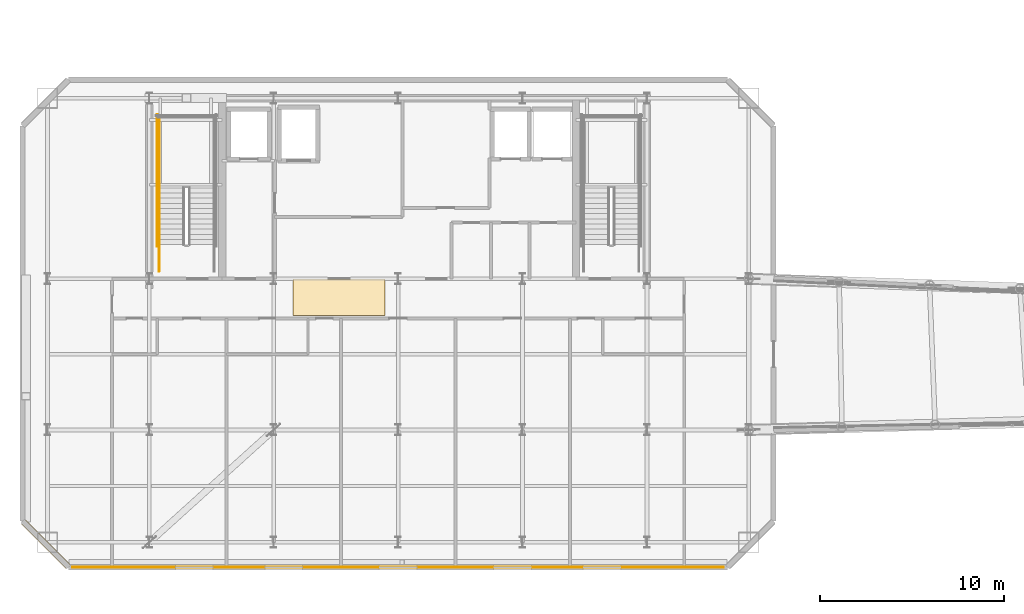
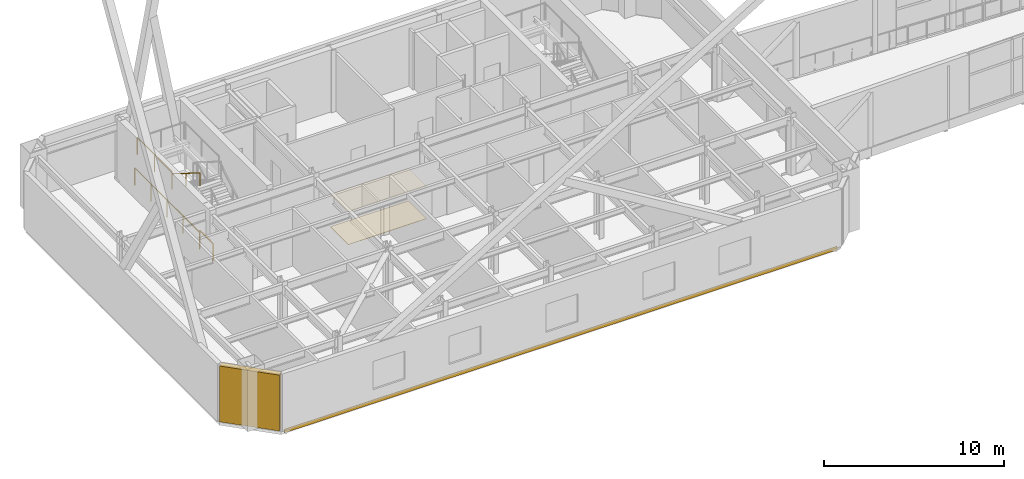
# One storey, part 20 of 23: 4 railings, 3 coverings, 1 shading device.
"""IFC4 building model written with IfcOpenShell, lengths in metres."""

from ifc_helpers import new_model, si_unit, direction, frame, origin, origin_2d, place, context, subcontext, project, spatial, polyline, rectangle, outline, extrude, material, layer, layer_set, type_object, element, save


model = new_model("IFC4")

# Units and contexts
model_context = context("Model", 3, precision=1e-05, world=origin(), true_north=direction((0.0, 1.0)))
body_context = subcontext(model_context, "Body", "Model", "MODEL_VIEW")
ifc_project = project(units=[si_unit("LENGTHUNIT", "METRE"), si_unit("AREAUNIT", "SQUARE_METRE"), si_unit("VOLUMEUNIT", "CUBIC_METRE"), si_unit("PLANEANGLEUNIT", "RADIAN"), si_unit("MASSUNIT", "GRAM", prefix="KILO")], contexts=[model_context])

# Site, building, storey
site_placement = place(None, origin())
site = spatial("IfcSite", under=ifc_project, at=site_placement, CompositionType="ELEMENT")
building_placement = place(site_placement, origin())
building = spatial("IfcBuilding", under=site, at=building_placement, Name="Haevon Station Towers", CompositionType="ELEMENT")
storey_placement = place(building_placement, frame((0.0, 0.0, 197.10009765625)))
storey = spatial("IfcBuildingStorey", under=building, at=storey_placement, Name="L54", CompositionType="ELEMENT", Elevation=197.10009765625)

# Coverings
ifc_material_1 = material(Name="Gypsum acoustic ceiling tile", Category="concrete")
ifc_layer_1 = layer(ifc_material_1, 0.014892578125)
ifc_layer_set_1 = layer_set([ifc_layer_1], Name="Gypsum acoustic ceiling tile")
covering_type_1 = type_object("IfcCoveringType", Name="COV-CEIL15", PredefinedType="CEILING", material=ifc_layer_set_1)
covering_1_placement = place(storey_placement, frame((0.0, 0.0, 2.199951171875)))
element("IfcCovering", 1, at=covering_1_placement, inside=storey, type_object=covering_type_1, Name="L54 Acoustic Corridor Ceiling", PredefinedType="CEILING", context=body_context, shape_type="SweptSolid", body=[
    extrude(outline(polyline([(31.800048828125, 36.199951171875), (36.800048828125, 36.199951171875), (36.800048828125, 38.199951171875), (31.800048828125, 38.199951171875), (31.800048828125, 36.199951171875)])), origin(), (0.0, 0.0, 1.0), 0.014892578125),
])
ifc_material_2 = material(Name="Anodised aluminium 6063-T6", Category="aluminium")
ifc_layer_2 = layer(ifc_material_2, 0.0400390625)
ifc_layer_set_2 = layer_set([ifc_layer_2], Name="Anodised aluminium 6063-T6")
covering_type_2 = type_object("IfcCoveringType", Name="COV-CLAD40", PredefinedType="CLADDING", material=ifc_layer_set_2)
covering_2_placement = place(storey_placement, frame((37.5, 22.550048828125, -0.240234375), z_axis=(0.0, 0.0, 1.0), x_axis=(1.0, 0.0, 0.0)))
element("IfcCovering", 2, at=covering_2_placement, inside=storey, type_object=covering_type_2, Name="Tower 1 L54 Spandrel Fascia Cladding", PredefinedType="CLADDING", context=body_context, shape_type="SweptSolid", body=[
    extrude(rectangle(XDim=35.35009765625, YDim=0.0400390625, at=origin_2d()), origin(), (0.0, 0.0, 1.0), 0.239990234375),
])
ifc_material_3 = material(Name="Granite stone paving", Category="masonry")
ifc_layer_3 = layer(ifc_material_3, 0.02001953125)
ifc_layer_set_3 = layer_set([ifc_layer_3], Name="Granite stone paving")
covering_type_3 = type_object("IfcCoveringType", Name="COV-FLR20", PredefinedType="FLOORING", material=ifc_layer_set_3)
covering_3_placement = place(storey_placement, origin())
element("IfcCovering", 3, at=covering_3_placement, inside=storey, type_object=covering_type_3, Name="L54 Corridor Stone Flooring", PredefinedType="FLOORING", context=body_context, shape_type="SweptSolid", body=[
    extrude(outline(polyline([(31.800048828125, 36.199951171875), (36.800048828125, 36.199951171875), (36.800048828125, 38.199951171875), (31.800048828125, 38.199951171875), (31.800048828125, 36.199951171875)])), origin(), (0.0, 0.0, 1.0), 0.02001953125),
])

# Railings
ifc_material_4 = material(Name="Steel S355", Category="steel")
railing_type_1 = type_object("IfcRailingType", Name="GRD-STR1200", PredefinedType="GUARDRAIL", material=ifc_material_4)
railing_1_placement = place(storey_placement, frame((24.530029296875, 43.1298828125, 2.099853515625)))
element("IfcRailing", 4, at=railing_1_placement, inside=storey, type_object=railing_type_1, Name="L54 ST1 Stair Guard 4", PredefinedType="GUARDRAIL", context=body_context, shape_type="SweptSolid", body=[
    extrude(rectangle(XDim=0.048095703125, YDim=0.048095703125, at=origin_2d()), frame((0.0, 0.0, 1.17578125), z_axis=(0.0, 1.0, 0.0), x_axis=(-1.0, 0.0, 0.0)), (0.0, 0.0, 1.0), 3.8701171875),
    extrude(rectangle(XDim=0.0419921875, YDim=0.0419921875, at=origin_2d()), origin(), (0.0, 0.0, 1.0), 1.15185546875),
    extrude(rectangle(XDim=0.0419921875, YDim=0.0419921875, at=origin_2d()), frame((0.0, 1.93505859375, 0.0)), (0.0, 0.0, 1.0), 1.15185546875),
    extrude(rectangle(XDim=0.0419921875, YDim=0.0419921875, at=origin_2d()), frame((0.0, 3.8701171875, 0.0)), (0.0, 0.0, 1.0), 1.15185546875),
])
railing_2_placement = place(storey_placement, frame((24.530029296875, 38.60009765625, 0.0)))
element("IfcRailing", 5, at=railing_2_placement, inside=storey, type_object=railing_type_1, Name="L54 ST1 Stair Guard 9", PredefinedType="GUARDRAIL", context=body_context, shape_type="SweptSolid", body=[
    extrude(rectangle(XDim=0.048095703125, YDim=0.048095703125, at=origin_2d()), frame((0.0, 0.0, 1.17578125), z_axis=(0.0, 1.0, 0.0), x_axis=(-1.0, 0.0, 0.0)), (0.0, 0.0, 1.0), 1.449951171875),
    extrude(rectangle(XDim=0.0419921875, YDim=0.0419921875, at=origin_2d()), origin(), (0.0, 0.0, 1.0), 1.15185546875),
    extrude(rectangle(XDim=0.0419921875, YDim=0.0419921875, at=origin_2d()), frame((0.0, 1.449951171875, 0.0)), (0.0, 0.0, 1.0), 1.15185546875),
])
railing_3_placement = place(storey_placement, frame((24.429931640625, 39.949951171875, 0.0)))
element("IfcRailing", 6, at=railing_3_placement, inside=storey, type_object=railing_type_1, Name="L54 ST1 Stair Guard 11", PredefinedType="GUARDRAIL", context=body_context, shape_type="SweptSolid", body=[
    extrude(rectangle(XDim=0.048095703125, YDim=0.048095703125, at=origin_2d()), frame((0.0, 0.0, 1.17578125), z_axis=(0.0, 1.0, 0.0), x_axis=(-1.0, 0.0, 0.0)), (0.0, 0.0, 1.0), 7.150146484375),
    extrude(rectangle(XDim=0.0419921875, YDim=0.0419921875, at=origin_2d()), origin(), (0.0, 0.0, 1.0), 1.15185546875),
    extrude(rectangle(XDim=0.0419921875, YDim=0.0419921875, at=origin_2d()), frame((0.0, 1.78759765625, 0.0)), (0.0, 0.0, 1.0), 1.15185546875),
    extrude(rectangle(XDim=0.0419921875, YDim=0.0419921875, at=origin_2d()), frame((0.0, 3.5751953125, 0.0)), (0.0, 0.0, 1.0), 1.15185546875),
    extrude(rectangle(XDim=0.0419921875, YDim=0.0419921875, at=origin_2d()), frame((0.0, 5.362548828125, 0.0)), (0.0, 0.0, 1.0), 1.15185546875),
    extrude(rectangle(XDim=0.0419921875, YDim=0.0419921875, at=origin_2d()), frame((0.0, 7.150146484375, 0.0)), (0.0, 0.0, 1.0), 1.15185546875),
])
railing_type_2 = type_object("IfcRailingType", Name="HND-STR900", PredefinedType="HANDRAIL", material=ifc_material_4)
railing_4_placement = place(storey_placement, frame((24.530029296875, 43.1298828125, 2.27490234375)))
element("IfcRailing", 7, at=railing_4_placement, inside=storey, type_object=railing_type_2, Name="L54 ST1 Stair Handrail 2", PredefinedType="HANDRAIL", context=body_context, shape_type="SweptSolid", body=[
    extrude(rectangle(XDim=0.048095703125, YDim=0.048095703125, at=origin_2d()), frame((0.0, 0.0, 0.8759765625), z_axis=(0.0, -0.847979421464, 0.530029150871), x_axis=(1.0, 0.0, 0.0)), (0.0, 0.0, 1.0), 3.632080078125),
    extrude(rectangle(XDim=0.0419921875, YDim=0.0419921875, at=origin_2d()), origin(), (0.0, 0.0, 1.0), 0.851806640625),
    extrude(rectangle(XDim=0.0419921875, YDim=0.0419921875, at=origin_2d()), frame((0.0, -1.5400390625, 0.96240234375)), (0.0, 0.0, 1.0), 0.851806640625),
    extrude(rectangle(XDim=0.0419921875, YDim=0.0419921875, at=origin_2d()), frame((0.0, -3.079833984375, 1.925048828125)), (0.0, 0.0, 1.0), 0.851806640625),
])

# Shading device
ifc_layer_4 = layer(ifc_material_2, 0.139892578125)
ifc_layer_set_4 = layer_set([ifc_layer_4], Name="Anodised aluminium 6063-T6")
shading_device_type = type_object("IfcShadingDeviceType", Name="SHD-WIND-BAFFLE", PredefinedType="SHUTTER", material=ifc_layer_set_4)
shading_device_placement = place(storey_placement, frame((18.375, 23.800048828125, 0.0498046875), z_axis=(0.0, 0.0, 1.0), x_axis=(-0.707106781187, 0.707106781187, 0.0)))
element("IfcShadingDevice", 8, at=shading_device_placement, inside=storey, type_object=shading_device_type, Name="Tower 1 L54 Wind-Corner Aerofoil Baffle SWC", PredefinedType="SHUTTER", context=body_context, shape_type="SweptSolid", body=[
    extrude(rectangle(XDim=3.435546875, YDim=0.340087890625, at=origin_2d()), origin(), (0.0, 0.0, 1.0), 3.780029296875),
])

save(model, "model.ifc")
